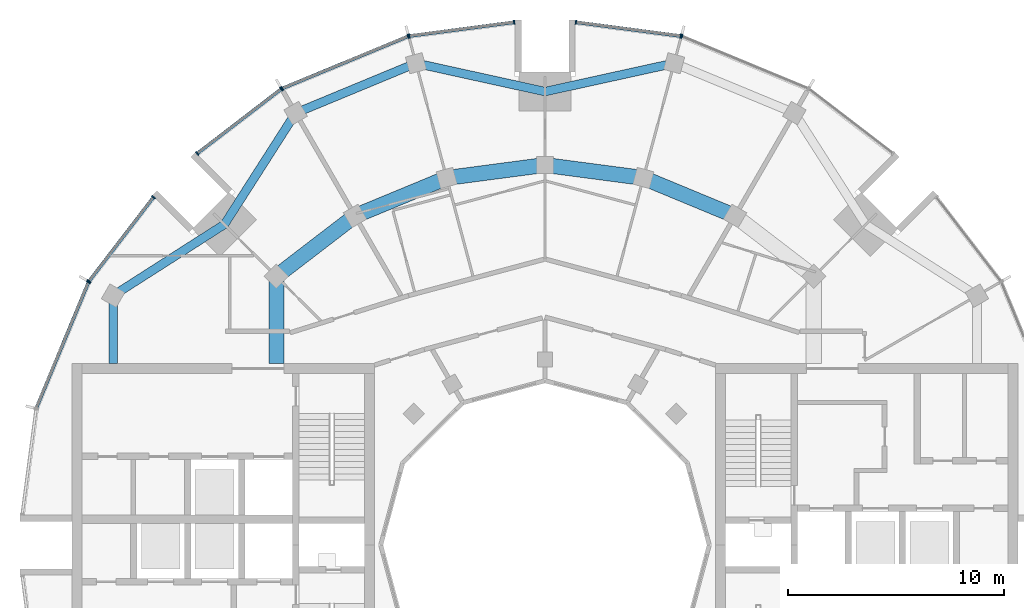
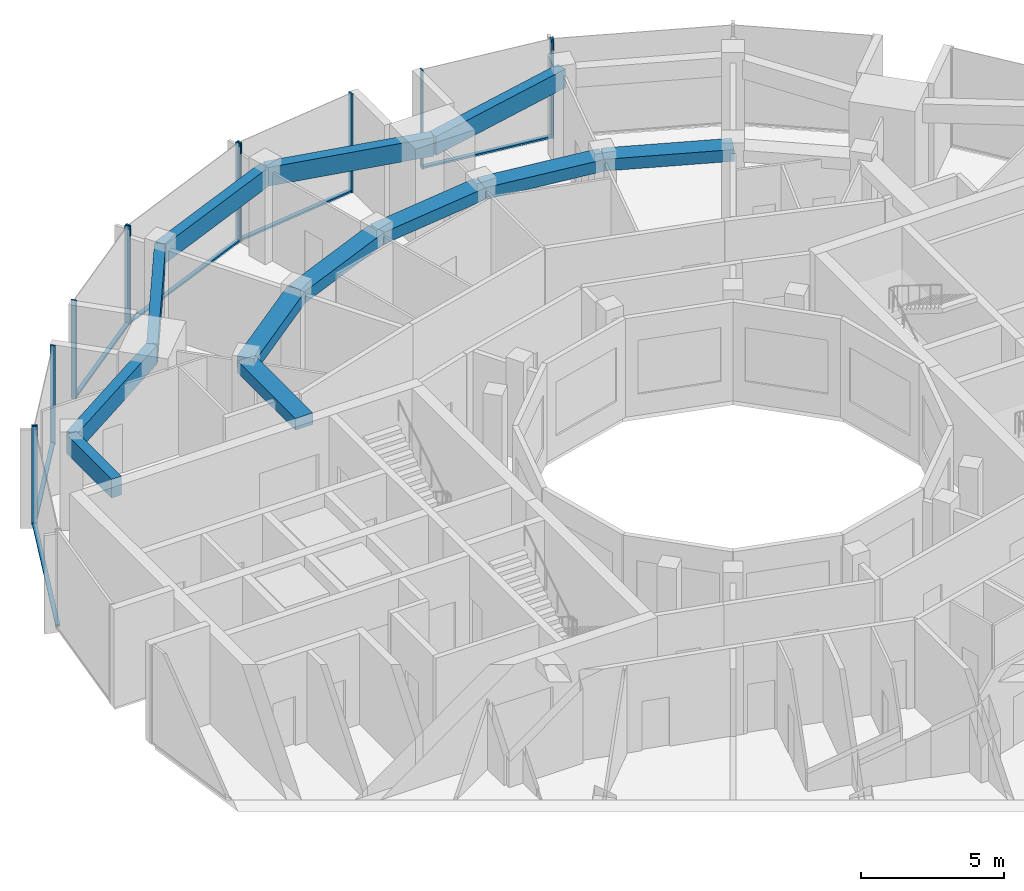
# One storey, part 5 of 15: 18 members, 12 beams, 7 elements without a shape of their own.
"""IFC4 building model written with IfcOpenShell, lengths in metres."""

from ifc_helpers import new_model, si_unit, direction, frame, origin, origin_2d, place, context, subcontext, project, spatial, rectangle, extrude, material, layer, layer_set, material_profile, profile_set, type_object, element, aggregate, save


model = new_model("IFC4")

# Units and contexts
model_context = context("Model", 3, precision=1e-05, world=origin(), true_north=direction((0.0, 1.0)))
body_context = subcontext(model_context, "Body", "Model", "MODEL_VIEW")
ifc_project = project(units=[si_unit("LENGTHUNIT", "METRE"), si_unit("AREAUNIT", "SQUARE_METRE"), si_unit("VOLUMEUNIT", "CUBIC_METRE"), si_unit("PLANEANGLEUNIT", "RADIAN"), si_unit("MASSUNIT", "GRAM", prefix="KILO")], contexts=[model_context])

# Site, building, storey
site_placement = place(None, origin())
site = spatial("IfcSite", under=ifc_project, at=site_placement, CompositionType="ELEMENT")
building_placement = place(site_placement, origin())
building = spatial("IfcBuilding", under=site, at=building_placement, Name="Torre Brocal", CompositionType="ELEMENT")
storey_placement = place(building_placement, frame((0.0, 0.0, 284.10009765625)))
storey = spatial("IfcBuildingStorey", under=building, at=storey_placement, Name="L65", CompositionType="ELEMENT", Elevation=284.10009765625)

# Curtain wall, member
ifc_material_1 = material(Name="Aluminium and glass", Category="aluminium")
ifc_layer = layer(ifc_material_1, 0.199951171875)
ifc_layer_set = layer_set([ifc_layer], Name="Aluminium and glass")
curtain_wall_type = type_object("IfcCurtainWallType", Name="CW-1 CURTAIN WALL 4200 HIGH", PredefinedType="NOTDEFINED", material=ifc_layer_set)
curtain_wall_1_placement = place(storey_placement, origin())
curtain_wall_1 = element("IfcCurtainWall", 1, at=curtain_wall_1_placement, inside=storey, type_object=curtain_wall_type, Name="CW-1 RUN 5", PredefinedType="NOTDEFINED")
ifc_material_2 = material(Name="Aluminium, dark anodised", Category="aluminium")
ifc_material_profile_1 = material_profile(ifc_material_2, rectangle(XDim=0.199951171875, YDim=0.06005859375, at=origin_2d()), Name="CW-1 MULLION 60X200")
ifc_profile_set_1 = profile_set([ifc_material_profile_1], Name="Aluminium, dark anodised")
member_type_1 = type_object("IfcMemberType", Name="CW-1 MULLION 60X200", PredefinedType="MULLION", material=ifc_profile_set_1)
member_1_placement = place(storey_placement, frame((86.3427734375, 98.556396484375, 0.0), z_axis=(0.0, 0.0, 1.0), x_axis=(-0.382683432462, -0.923879532471, 0.0)))
member_1 = element("IfcMember", 2, at=member_1_placement, type_object=member_type_1, Name="CW1-5 mullion 2", PredefinedType="MULLION", context=body_context, shape_type="SweptSolid", body=[
    extrude(rectangle(XDim=0.199951171875, YDim=0.06005859375, at=origin_2d()), origin(), (0.0, 0.0, 1.0), 4.199951171875),
])
aggregate(curtain_wall_1, [member_1])

# Curtain wall, members
curtain_wall_2_placement = place(storey_placement, origin())
curtain_wall_2 = element("IfcCurtainWall", 3, at=curtain_wall_2_placement, inside=storey, type_object=curtain_wall_type, Name="CW-1 RUN 6", PredefinedType="NOTDEFINED")
member_2_placement = place(storey_placement, frame((86.28515625, 98.57177734375, 0.0), z_axis=(0.0, 0.0, 1.0), x_axis=(-0.130526192116, -0.991444861387, 0.0)))
member_2 = element("IfcMember", 4, at=member_2_placement, type_object=member_type_1, Name="CW1-5 mullion 1", PredefinedType="MULLION", context=body_context, shape_type="SweptSolid", body=[
    extrude(rectangle(XDim=0.199951171875, YDim=0.06005859375, at=origin_2d()), origin(), (0.0, 0.0, 1.0), 4.199951171875),
])
member_3_placement = place(storey_placement, frame((81.4296875, 99.2109375, 0.0), z_axis=(0.0, 0.0, 1.0), x_axis=(-0.130526192116, -0.991444861387, 0.0)))
member_3 = element("IfcMember", 5, at=member_3_placement, type_object=member_type_1, Name="CW1-5 mullion 2", PredefinedType="MULLION", context=body_context, shape_type="SweptSolid", body=[
    extrude(rectangle(XDim=0.199951171875, YDim=0.06005859375, at=origin_2d()), origin(), (0.0, 0.0, 1.0), 4.199951171875),
])

curtain_wall_3_placement = place(storey_placement, origin())
curtain_wall_3 = element("IfcCurtainWall", 6, at=curtain_wall_3_placement, inside=storey, type_object=curtain_wall_type, Name="CW-1 RUN 7", PredefinedType="NOTDEFINED")
member_4_placement = place(storey_placement, frame((78.5703125, 99.2109375, 0.0), z_axis=(0.0, 0.0, 1.0), x_axis=(0.130526192116, -0.991444861387, 0.0)))
member_4 = element("IfcMember", 7, at=member_4_placement, type_object=member_type_1, Name="CW1-5 mullion 1", PredefinedType="MULLION", context=body_context, shape_type="SweptSolid", body=[
    extrude(rectangle(XDim=0.199951171875, YDim=0.06005859375, at=origin_2d()), origin(), (0.0, 0.0, 1.0), 4.199951171875),
])
member_5_placement = place(storey_placement, frame((73.71484375, 98.57177734375, 0.0), z_axis=(0.0, 0.0, 1.0), x_axis=(0.130526192116, -0.991444861387, 0.0)))
member_5 = element("IfcMember", 8, at=member_5_placement, type_object=member_type_1, Name="CW1-5 mullion 2", PredefinedType="MULLION", context=body_context, shape_type="SweptSolid", body=[
    extrude(rectangle(XDim=0.199951171875, YDim=0.06005859375, at=origin_2d()), origin(), (0.0, 0.0, 1.0), 4.199951171875),
])

curtain_wall_4_placement = place(storey_placement, origin())
curtain_wall_4 = element("IfcCurtainWall", 9, at=curtain_wall_4_placement, inside=storey, type_object=curtain_wall_type, Name="CW-1 RUN 8", PredefinedType="NOTDEFINED")
member_6_placement = place(storey_placement, frame((73.6572265625, 98.556396484375, 0.0), z_axis=(0.0, 0.0, 1.0), x_axis=(0.382683432462, -0.923879532471, 0.0)))
member_6 = element("IfcMember", 10, at=member_6_placement, type_object=member_type_1, Name="CW1-5 mullion 1", PredefinedType="MULLION", context=body_context, shape_type="SweptSolid", body=[
    extrude(rectangle(XDim=0.199951171875, YDim=0.06005859375, at=origin_2d()), origin(), (0.0, 0.0, 1.0), 4.199951171875),
])
member_7_placement = place(storey_placement, frame((67.828125, 96.141845703125, 0.0), z_axis=(0.0, 0.0, 1.0), x_axis=(0.382683432462, -0.923879532471, 0.0)))
member_7 = element("IfcMember", 11, at=member_7_placement, type_object=member_type_1, Name="CW1-5 mullion 2", PredefinedType="MULLION", context=body_context, shape_type="SweptSolid", body=[
    extrude(rectangle(XDim=0.199951171875, YDim=0.06005859375, at=origin_2d()), origin(), (0.0, 0.0, 1.0), 4.199951171875),
])

curtain_wall_5_placement = place(storey_placement, origin())
curtain_wall_5 = element("IfcCurtainWall", 12, at=curtain_wall_5_placement, inside=storey, type_object=curtain_wall_type, Name="CW-1 RUN 9", PredefinedType="NOTDEFINED")
member_8_placement = place(storey_placement, frame((67.776611328125, 96.112060546875, 0.0), z_axis=(0.0, 0.0, 1.0), x_axis=(0.608761428939, -0.793353340344, 0.0)))
member_8 = element("IfcMember", 13, at=member_8_placement, type_object=member_type_1, Name="CW1-5 mullion 1", PredefinedType="MULLION", context=body_context, shape_type="SweptSolid", body=[
    extrude(rectangle(XDim=0.199951171875, YDim=0.06005859375, at=origin_2d()), origin(), (0.0, 0.0, 1.0), 4.199951171875),
])
member_9_placement = place(storey_placement, frame((63.891357421875, 93.130615234375, 0.0), z_axis=(0.0, 0.0, 1.0), x_axis=(0.608761428939, -0.793353340344, 0.0)))
member_9 = element("IfcMember", 14, at=member_9_placement, type_object=member_type_1, Name="CW1-5 mullion 2", PredefinedType="MULLION", context=body_context, shape_type="SweptSolid", body=[
    extrude(rectangle(XDim=0.199951171875, YDim=0.06005859375, at=origin_2d()), origin(), (0.0, 0.0, 1.0), 4.199951171875),
])

curtain_wall_6_placement = place(storey_placement, origin())
curtain_wall_6 = element("IfcCurtainWall", 15, at=curtain_wall_6_placement, inside=storey, type_object=curtain_wall_type, Name="CW-1 RUN 10", PredefinedType="NOTDEFINED")
member_10_placement = place(storey_placement, frame((61.869384765625, 91.108642578125, 0.0), z_axis=(0.0, 0.0, 1.0), x_axis=(0.793353340344, -0.608761428939, 0.0)))
member_10 = element("IfcMember", 16, at=member_10_placement, type_object=member_type_1, Name="CW1-5 mullion 1", PredefinedType="MULLION", context=body_context, shape_type="SweptSolid", body=[
    extrude(rectangle(XDim=0.199951171875, YDim=0.06005859375, at=origin_2d()), origin(), (0.0, 0.0, 1.0), 4.199951171875),
])
member_11_placement = place(storey_placement, frame((58.887939453125, 87.223388671875, 0.0), z_axis=(0.0, 0.0, 1.0), x_axis=(0.793353340344, -0.608761428939, 0.0)))
member_11 = element("IfcMember", 17, at=member_11_placement, type_object=member_type_1, Name="CW1-5 mullion 2", PredefinedType="MULLION", context=body_context, shape_type="SweptSolid", body=[
    extrude(rectangle(XDim=0.199951171875, YDim=0.06005859375, at=origin_2d()), origin(), (0.0, 0.0, 1.0), 4.199951171875),
])

# Curtain wall, member
curtain_wall_7_placement = place(storey_placement, origin())
curtain_wall_7 = element("IfcCurtainWall", 18, at=curtain_wall_7_placement, inside=storey, type_object=curtain_wall_type, Name="CW-1 RUN 11", PredefinedType="NOTDEFINED")
member_12_placement = place(storey_placement, frame((58.858154296875, 87.171875, 0.0), z_axis=(0.0, 0.0, 1.0), x_axis=(0.923879532471, -0.382683432462, 0.0)))
member_12 = element("IfcMember", 19, at=member_12_placement, type_object=member_type_1, Name="CW1-5 mullion 1", PredefinedType="MULLION", context=body_context, shape_type="SweptSolid", body=[
    extrude(rectangle(XDim=0.199951171875, YDim=0.06005859375, at=origin_2d()), origin(), (0.0, 0.0, 1.0), 4.199951171875),
])

# Member
ifc_material_3 = material(Name="Aluminium, dark anodised", Category="aluminium")
ifc_material_profile_2 = material_profile(ifc_material_3, rectangle(XDim=0.159912109375, YDim=0.080078125, at=origin_2d()), Name="CW-1 TRANSOM 160X80")
ifc_profile_set_2 = profile_set([ifc_material_profile_2], Name="Aluminium, dark anodised")
member_type_2 = type_object("IfcMemberType", Name="CW-1 TRANSOM 160X80", PredefinedType="USERDEFINED", material=ifc_profile_set_2)
member_13_placement = place(storey_placement, frame((86.25537109375, 98.57568359375, 0.039794921875), z_axis=(-0.991446047842, 0.130517179786, 0.0), x_axis=(-0.130517179786, -0.991446047842, 0.0)))
member_13 = element("IfcMember", 20, at=member_13_placement, type_object=member_type_2, Name="CW1-5 transom 1.1", ObjectType="TRANSOM", PredefinedType="USERDEFINED", context=body_context, shape_type="SweptSolid", body=[
    extrude(rectangle(XDim=0.159912109375, YDim=0.080078125, at=origin_2d()), origin(), (0.0, 0.0, 1.0), 4.837158203125),
])

aggregate(curtain_wall_2, [member_2, member_3, member_13])

member_14_placement = place(storey_placement, frame((78.54052734375, 99.20703125, 0.039794921875), z_axis=(-0.991446047842, -0.130517179786, 0.0), x_axis=(0.130517179786, -0.991446047842, 0.0)))
member_14 = element("IfcMember", 21, at=member_14_placement, type_object=member_type_2, Name="CW1-5 transom 1.1", ObjectType="TRANSOM", PredefinedType="USERDEFINED", context=body_context, shape_type="SweptSolid", body=[
    extrude(rectangle(XDim=0.159912109375, YDim=0.080078125, at=origin_2d()), origin(), (0.0, 0.0, 1.0), 4.837158203125),
])

aggregate(curtain_wall_3, [member_4, member_5, member_14])

member_15_placement = place(storey_placement, frame((73.629638671875, 98.544677734375, 0.039794921875), z_axis=(-0.923889705363, -0.382658872004, 0.0), x_axis=(0.382658872004, -0.923889705363, 0.0)))
member_15 = element("IfcMember", 22, at=member_15_placement, type_object=member_type_2, Name="CW1-5 transom 1.1", ObjectType="TRANSOM", PredefinedType="USERDEFINED", context=body_context, shape_type="SweptSolid", body=[
    extrude(rectangle(XDim=0.159912109375, YDim=0.080078125, at=origin_2d()), origin(), (0.0, 0.0, 1.0), 6.249267578125),
])

aggregate(curtain_wall_4, [member_6, member_7, member_15])

member_16_placement = place(storey_placement, frame((67.7529296875, 96.09375, 0.039794921875), z_axis=(-0.793362608569, -0.608749350163, 0.0), x_axis=(0.608749350163, -0.793362608569, 0.0)))
member_16 = element("IfcMember", 23, at=member_16_placement, type_object=member_type_2, Name="CW1-5 transom 1.1", ObjectType="TRANSOM", PredefinedType="USERDEFINED", context=body_context, shape_type="SweptSolid", body=[
    extrude(rectangle(XDim=0.159912109375, YDim=0.080078125, at=origin_2d()), origin(), (0.0, 0.0, 1.0), 4.83740234375),
])

aggregate(curtain_wall_5, [member_8, member_9, member_16])

member_17_placement = place(storey_placement, frame((61.85107421875, 91.0849609375, 0.039794921875), z_axis=(-0.608749350163, -0.793362608569, 0.0), x_axis=(0.793362608569, -0.608749350163, 0.0)))
member_17 = element("IfcMember", 24, at=member_17_placement, type_object=member_type_2, Name="CW1-5 transom 1.1", ObjectType="TRANSOM", PredefinedType="USERDEFINED", context=body_context, shape_type="SweptSolid", body=[
    extrude(rectangle(XDim=0.159912109375, YDim=0.080078125, at=origin_2d()), origin(), (0.0, 0.0, 1.0), 4.83740234375),
])

aggregate(curtain_wall_6, [member_10, member_11, member_17])

member_18_placement = place(storey_placement, frame((58.8466796875, 87.14404296875, 0.039794921875), z_axis=(-0.382658872004, -0.923889705363, 0.0), x_axis=(0.923889705363, -0.382658872004, 0.0)))
member_18 = element("IfcMember", 25, at=member_18_placement, type_object=member_type_2, Name="CW1-5 transom 1.1", ObjectType="TRANSOM", PredefinedType="USERDEFINED", context=body_context, shape_type="SweptSolid", body=[
    extrude(rectangle(XDim=0.159912109375, YDim=0.080078125, at=origin_2d()), origin(), (0.0, 0.0, 1.0), 6.249267578125),
])

aggregate(curtain_wall_7, [member_12, member_18])

# Beams
ifc_material_4 = material(Name="Concrete C50", Category="concrete")
ifc_material_profile_3 = material_profile(ifc_material_4, rectangle(XDim=0.699951171875, YDim=0.5, at=origin_2d()), Name="RC 700X500")
ifc_profile_set_3 = profile_set([ifc_material_profile_3], Name="Concrete C50")
beam_type_1 = type_object("IfcBeamType", Name="RC BEAM 700X500 C50 TOP 3880", PredefinedType="BEAM", material=ifc_profile_set_3)
beam_1_placement = place(storey_placement, frame((88.800048828125, 90.241943359375, 3.6298828125), z_axis=(-0.923878240166, 0.382686552348, 0.0), x_axis=(-0.382686552348, -0.923878240166, 0.0)))
element("IfcBeam", 26, at=beam_1_placement, inside=storey, type_object=beam_type_1, Name="Beam BT-37", PredefinedType="BEAM", context=body_context, shape_type="SweptSolid", body=[
    extrude(rectangle(XDim=0.699951171875, YDim=0.5, at=origin_2d()), origin(), (0.0, 0.0, 1.0), 4.5947265625),
])
for number, where, z_axis, x_axis, name in (
    (27, (84.55517578125, 92.000244140625, 3.6298828125), (-0.991440544449, 0.130558978332, 0.0), (-0.130558978332, -0.991440544449, 0.0), "Beam BT-37"),
    (28, (80.0, 92.60009765625, 3.6298828125), (-0.991440544449, -0.130558978332, 0.0), (0.130558978332, -0.991440544449, 0.0), "Beam BT-37"),
):
    element("IfcBeam", number, at=place(storey_placement, frame(where, z_axis=z_axis, x_axis=x_axis)), inside=storey, type_object=beam_type_1, Name=name, PredefinedType="BEAM", context=body_context, shape_type="SweptSolid", body=[
        extrude(rectangle(XDim=0.699951171875, YDim=0.5, at=origin_2d()), origin(), (0.0, 0.0, 1.0), 4.594482421875),
    ])
beam_2_placement = place(storey_placement, frame((75.44482421875, 92.000244140625, 3.6298828125), z_axis=(-0.923878240166, -0.382686552348, 0.0), x_axis=(0.382686552348, -0.923878240166, 0.0)))
element("IfcBeam", 29, at=beam_2_placement, inside=storey, type_object=beam_type_1, Name="Beam BT-37", PredefinedType="BEAM", context=body_context, shape_type="SweptSolid", body=[
    extrude(rectangle(XDim=0.699951171875, YDim=0.5, at=origin_2d()), origin(), (0.0, 0.0, 1.0), 4.5947265625),
])
beam_3_placement = place(storey_placement, frame((71.199951171875, 90.241943359375, 3.6298828125), z_axis=(-0.793358265959, -0.6087550097, 0.0), x_axis=(0.6087550097, -0.793358265959, 0.0)))
element("IfcBeam", 30, at=beam_3_placement, inside=storey, type_object=beam_type_1, Name="Beam BT-37", PredefinedType="BEAM", context=body_context, shape_type="SweptSolid", body=[
    extrude(rectangle(XDim=0.699951171875, YDim=0.5, at=origin_2d()), origin(), (0.0, 0.0, 1.0), 4.594482421875),
])
beam_4_placement = place(storey_placement, frame((67.554931640625, 87.445068359375, 3.6298828125), z_axis=(0.0, -1.0, 0.0), x_axis=(1.0, 0.0, 0.0)))
element("IfcBeam", 31, at=beam_4_placement, inside=storey, type_object=beam_type_1, Name="Beam BT-37", PredefinedType="BEAM", context=body_context, shape_type="SweptSolid", body=[
    extrude(rectangle(XDim=0.699951171875, YDim=0.5, at=origin_2d()), origin(), (0.0, 0.0, 1.0), 4.045166015625),
])
ifc_material_5 = material(Name="Concrete C50", Category="concrete")
ifc_material_profile_4 = material_profile(ifc_material_5, rectangle(XDim=0.39990234375, YDim=0.800048828125, at=origin_2d()), Name="RC 400X800")
ifc_profile_set_4 = profile_set([ifc_material_profile_4], Name="Concrete C50")
beam_type_2 = type_object("IfcBeamType", Name="RC SPANDREL BEAM 400X800 C50 TOP 3880", PredefinedType="SPANDREL", material=ifc_profile_set_4)
for number, where, z_axis, x_axis, name in (
    (32, (85.978759765625, 97.31298828125, 3.47998046875), (-0.976724578001, -0.214497316366, 0.0), (0.214497316366, -0.976724578001, 0.0), "Beam BT-47"),
    (33, (80.0, 96.0, 3.47998046875), (-0.976724578001, 0.214497316366, 0.0), (-0.214497316366, -0.976724578001, 0.0), "Beam BT-47"),
):
    element("IfcBeam", number, at=place(storey_placement, frame(where, z_axis=z_axis, x_axis=x_axis)), inside=storey, type_object=beam_type_2, Name=name, PredefinedType="SPANDREL", context=body_context, shape_type="SweptSolid", body=[
        extrude(rectangle(XDim=0.39990234375, YDim=0.800048828125, at=origin_2d()), origin(), (0.0, 0.0, 1.0), 6.121337890625),
    ])
beam_5_placement = place(storey_placement, frame((74.021240234375, 97.31298828125, 3.47998046875), z_axis=(-0.923870278372, -0.38270577307, 0.0), x_axis=(0.38270577307, -0.923870278372, 0.0)))
element("IfcBeam", 34, at=beam_5_placement, inside=storey, type_object=beam_type_2, Name="Beam BT-47", PredefinedType="SPANDREL", context=body_context, shape_type="SweptSolid", body=[
    extrude(rectangle(XDim=0.39990234375, YDim=0.800048828125, at=origin_2d()), origin(), (0.0, 0.0, 1.0), 6.0302734375),
])
for number, where, z_axis, x_axis, name in (
    (35, (68.449951171875, 95.005126953125, 3.47998046875), (-0.538964280647, -0.842328620069, 0.0), (0.842328620069, -0.538964280647, 0.0), "Beam BT-47"),
    (36, (65.15087890625, 89.84912109375, 3.47998046875), (-0.842328620069, -0.538964280647, 0.0), (0.538964280647, -0.842328620069, 0.0), "Beam BT-47"),
):
    element("IfcBeam", number, at=place(storey_placement, frame(where, z_axis=z_axis, x_axis=x_axis)), inside=storey, type_object=beam_type_2, Name=name, PredefinedType="SPANDREL", context=body_context, shape_type="SweptSolid", body=[
        extrude(rectangle(XDim=0.39990234375, YDim=0.800048828125, at=origin_2d()), origin(), (0.0, 0.0, 1.0), 6.12109375),
    ])
beam_6_placement = place(storey_placement, frame((59.994873046875, 86.550048828125, 3.47998046875), z_axis=(0.0, -1.0, 0.0), x_axis=(1.0, 0.0, 0.0)))
element("IfcBeam", 37, at=beam_6_placement, inside=storey, type_object=beam_type_2, Name="Beam BT-47", PredefinedType="SPANDREL", context=body_context, shape_type="SweptSolid", body=[
    extrude(rectangle(XDim=0.39990234375, YDim=0.800048828125, at=origin_2d()), origin(), (0.0, 0.0, 1.0), 3.150146484375),
])

save(model, "model.ifc")
